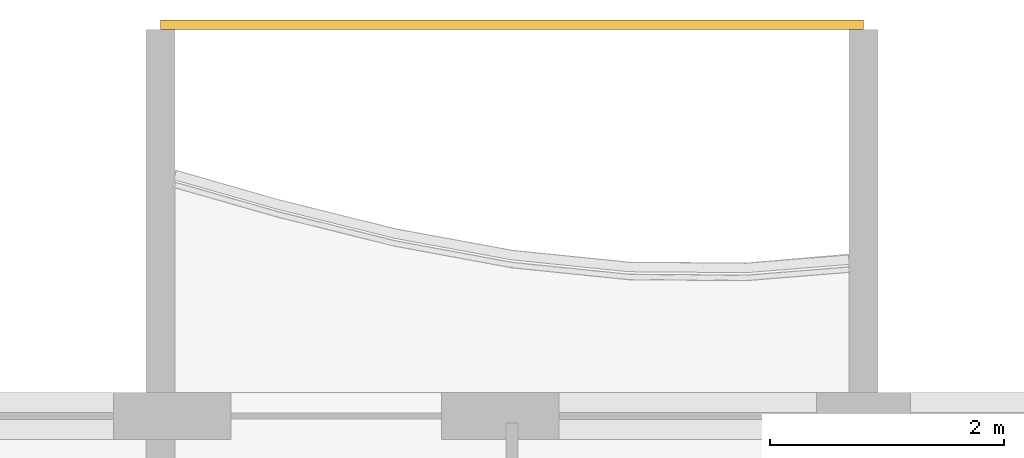
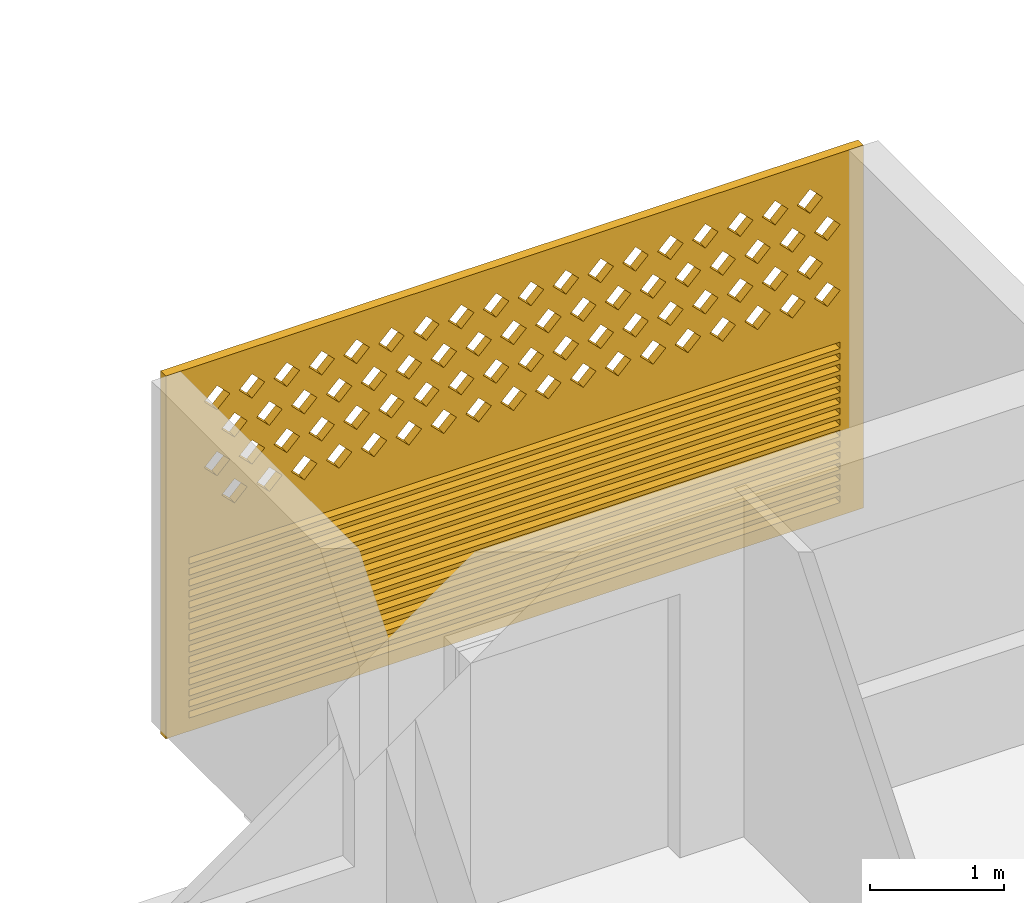
# One storey, part 20 of 28: 1 covering.
"""IFC4 building model written with IfcOpenShell, lengths in metres."""

from ifc_helpers import new_model, si_unit, direction, frame, origin, place, context, subcontext, project, spatial, polyline, outline, extrude, source, transform, mapped, material, material_profile, profile_set, type_object, element, save


model = new_model("IFC4")

# Units and contexts
model_context = context("Model", 3, precision=1e-05, world=origin(), true_north=direction((0.0, 1.0)))
body_context = subcontext(model_context, "Body", "Model", "MODEL_VIEW")
ifc_project = project(units=[si_unit("LENGTHUNIT", "METRE"), si_unit("AREAUNIT", "SQUARE_METRE"), si_unit("VOLUMEUNIT", "CUBIC_METRE"), si_unit("PLANEANGLEUNIT", "RADIAN"), si_unit("MASSUNIT", "GRAM", prefix="KILO")], contexts=[model_context])

# Site, building, storey
site_placement = place(None, origin())
site = spatial("IfcSite", under=ifc_project, at=site_placement, CompositionType="ELEMENT")
building_placement = place(site_placement, origin())
building = spatial("IfcBuilding", under=site, at=building_placement, Name="Poui Terraces", CompositionType="ELEMENT")
storey_placement = place(building_placement, frame((0.0, 0.0, 188.39990234375)))
storey = spatial("IfcBuildingStorey", under=building, at=storey_placement, Name="L52", CompositionType="ELEMENT", Elevation=188.39990234375)

# Covering
ifc_material = material(Name="Terracotta screen", Category="masonry")
ifc_material_profile = material_profile(ifc_material, outline(polyline([(-3.0, -1.64990234375), (3.0, -1.64990234375), (3.0, 1.64990234375), (-3.0, 1.64990234375), (-3.0, -1.64990234375)]), holes=[polyline([(-2.800048828125, 0.39990234375), (-2.68994140625, 0.2900390625), (-2.580078125, 0.39990234375), (-2.68994140625, 0.510009765625), (-2.800048828125, 0.39990234375)]), polyline([(-2.5, 0.39990234375), (-2.389892578125, 0.2900390625), (-2.280029296875, 0.39990234375), (-2.389892578125, 0.510009765625), (-2.5, 0.39990234375)]), polyline([(-2.199951171875, 0.39990234375), (-2.090087890625, 0.2900390625), (-1.97998046875, 0.39990234375), (-2.090087890625, 0.510009765625), (-2.199951171875, 0.39990234375)]), polyline([(-1.89990234375, 0.39990234375), (-1.7900390625, 0.2900390625), (-1.679931640625, 0.39990234375), (-1.7900390625, 0.510009765625), (-1.89990234375, 0.39990234375)]), polyline([(-1.60009765625, 0.39990234375), (-1.489990234375, 0.2900390625), (-1.3798828125, 0.39990234375), (-1.489990234375, 0.510009765625), (-1.60009765625, 0.39990234375)]), polyline([(-1.300048828125, 0.39990234375), (-1.18994140625, 0.2900390625), (-1.080078125, 0.39990234375), (-1.18994140625, 0.510009765625), (-1.300048828125, 0.39990234375)]), polyline([(-1.0, 0.39990234375), (-0.889892578125, 0.2900390625), (-0.780029296875, 0.39990234375), (-0.889892578125, 0.510009765625), (-1.0, 0.39990234375)]), polyline([(-0.699951171875, 0.39990234375), (-0.590087890625, 0.2900390625), (-0.47998046875, 0.39990234375), (-0.590087890625, 0.510009765625), (-0.699951171875, 0.39990234375)]), polyline([(-0.39990234375, 0.39990234375), (-0.2900390625, 0.2900390625), (-0.179931640625, 0.39990234375), (-0.2900390625, 0.510009765625), (-0.39990234375, 0.39990234375)]), polyline([(-0.10009765625, 0.39990234375), (0.010009765625, 0.2900390625), (0.1201171875, 0.39990234375), (0.010009765625, 0.510009765625), (-0.10009765625, 0.39990234375)]), polyline([(0.199951171875, 0.39990234375), (0.31005859375, 0.2900390625), (0.419921875, 0.39990234375), (0.31005859375, 0.510009765625), (0.199951171875, 0.39990234375)]), polyline([(0.5, 0.39990234375), (0.610107421875, 0.2900390625), (0.719970703125, 0.39990234375), (0.610107421875, 0.510009765625), (0.5, 0.39990234375)]), polyline([(0.800048828125, 0.39990234375), (0.909912109375, 0.2900390625), (1.02001953125, 0.39990234375), (0.909912109375, 0.510009765625), (0.800048828125, 0.39990234375)]), polyline([(1.10009765625, 0.39990234375), (1.2099609375, 0.2900390625), (1.320068359375, 0.39990234375), (1.2099609375, 0.510009765625), (1.10009765625, 0.39990234375)]), polyline([(1.39990234375, 0.39990234375), (1.510009765625, 0.2900390625), (1.6201171875, 0.39990234375), (1.510009765625, 0.510009765625), (1.39990234375, 0.39990234375)]), polyline([(1.699951171875, 0.39990234375), (1.81005859375, 0.2900390625), (1.919921875, 0.39990234375), (1.81005859375, 0.510009765625), (1.699951171875, 0.39990234375)]), polyline([(2.0, 0.39990234375), (2.110107421875, 0.2900390625), (2.219970703125, 0.39990234375), (2.110107421875, 0.510009765625), (2.0, 0.39990234375)]), polyline([(2.300048828125, 0.39990234375), (2.409912109375, 0.2900390625), (2.52001953125, 0.39990234375), (2.409912109375, 0.510009765625), (2.300048828125, 0.39990234375)]), polyline([(-2.64990234375, 0.699951171875), (-2.5400390625, 0.590087890625), (-2.429931640625, 0.699951171875), (-2.5400390625, 0.81005859375), (-2.64990234375, 0.699951171875)]), polyline([(-2.35009765625, 0.699951171875), (-2.239990234375, 0.590087890625), (-2.1298828125, 0.699951171875), (-2.239990234375, 0.81005859375), (-2.35009765625, 0.699951171875)]), polyline([(-2.050048828125, 0.699951171875), (-1.93994140625, 0.590087890625), (-1.830078125, 0.699951171875), (-1.93994140625, 0.81005859375), (-2.050048828125, 0.699951171875)]), polyline([(-1.75, 0.699951171875), (-1.639892578125, 0.590087890625), (-1.530029296875, 0.699951171875), (-1.639892578125, 0.81005859375), (-1.75, 0.699951171875)]), polyline([(-1.449951171875, 0.699951171875), (-1.340087890625, 0.590087890625), (-1.22998046875, 0.699951171875), (-1.340087890625, 0.81005859375), (-1.449951171875, 0.699951171875)]), polyline([(-1.14990234375, 0.699951171875), (-1.0400390625, 0.590087890625), (-0.929931640625, 0.699951171875), (-1.0400390625, 0.81005859375), (-1.14990234375, 0.699951171875)]), polyline([(-0.85009765625, 0.699951171875), (-0.739990234375, 0.590087890625), (-0.6298828125, 0.699951171875), (-0.739990234375, 0.81005859375), (-0.85009765625, 0.699951171875)]), polyline([(-0.550048828125, 0.699951171875), (-0.43994140625, 0.590087890625), (-0.330078125, 0.699951171875), (-0.43994140625, 0.81005859375), (-0.550048828125, 0.699951171875)]), polyline([(-0.25, 0.699951171875), (-0.139892578125, 0.590087890625), (-0.030029296875, 0.699951171875), (-0.139892578125, 0.81005859375), (-0.25, 0.699951171875)]), polyline([(0.050048828125, 0.699951171875), (0.159912109375, 0.590087890625), (0.27001953125, 0.699951171875), (0.159912109375, 0.81005859375), (0.050048828125, 0.699951171875)]), polyline([(0.35009765625, 0.699951171875), (0.4599609375, 0.590087890625), (0.570068359375, 0.699951171875), (0.4599609375, 0.81005859375), (0.35009765625, 0.699951171875)]), polyline([(0.64990234375, 0.699951171875), (0.760009765625, 0.590087890625), (0.8701171875, 0.699951171875), (0.760009765625, 0.81005859375), (0.64990234375, 0.699951171875)]), polyline([(0.949951171875, 0.699951171875), (1.06005859375, 0.590087890625), (1.169921875, 0.699951171875), (1.06005859375, 0.81005859375), (0.949951171875, 0.699951171875)]), polyline([(1.25, 0.699951171875), (1.360107421875, 0.590087890625), (1.469970703125, 0.699951171875), (1.360107421875, 0.81005859375), (1.25, 0.699951171875)]), polyline([(1.550048828125, 0.699951171875), (1.659912109375, 0.590087890625), (1.77001953125, 0.699951171875), (1.659912109375, 0.81005859375), (1.550048828125, 0.699951171875)]), polyline([(1.85009765625, 0.699951171875), (1.9599609375, 0.590087890625), (2.070068359375, 0.699951171875), (1.9599609375, 0.81005859375), (1.85009765625, 0.699951171875)]), polyline([(2.14990234375, 0.699951171875), (2.260009765625, 0.590087890625), (2.3701171875, 0.699951171875), (2.260009765625, 0.81005859375), (2.14990234375, 0.699951171875)]), polyline([(2.449951171875, 0.699951171875), (2.56005859375, 0.590087890625), (2.669921875, 0.699951171875), (2.56005859375, 0.81005859375), (2.449951171875, 0.699951171875)]), polyline([(-2.800048828125, 1.0), (-2.68994140625, 0.889892578125), (-2.580078125, 1.0), (-2.68994140625, 1.110107421875), (-2.800048828125, 1.0)]), polyline([(-2.5, 1.0), (-2.389892578125, 0.889892578125), (-2.280029296875, 1.0), (-2.389892578125, 1.110107421875), (-2.5, 1.0)]), polyline([(-2.199951171875, 1.0), (-2.090087890625, 0.889892578125), (-1.97998046875, 1.0), (-2.090087890625, 1.110107421875), (-2.199951171875, 1.0)]), polyline([(-1.89990234375, 1.0), (-1.7900390625, 0.889892578125), (-1.679931640625, 1.0), (-1.7900390625, 1.110107421875), (-1.89990234375, 1.0)]), polyline([(-1.60009765625, 1.0), (-1.489990234375, 0.889892578125), (-1.3798828125, 1.0), (-1.489990234375, 1.110107421875), (-1.60009765625, 1.0)]), polyline([(-1.300048828125, 1.0), (-1.18994140625, 0.889892578125), (-1.080078125, 1.0), (-1.18994140625, 1.110107421875), (-1.300048828125, 1.0)]), polyline([(-1.0, 1.0), (-0.889892578125, 0.889892578125), (-0.780029296875, 1.0), (-0.889892578125, 1.110107421875), (-1.0, 1.0)]), polyline([(-0.699951171875, 1.0), (-0.590087890625, 0.889892578125), (-0.47998046875, 1.0), (-0.590087890625, 1.110107421875), (-0.699951171875, 1.0)]), polyline([(-0.39990234375, 1.0), (-0.2900390625, 0.889892578125), (-0.179931640625, 1.0), (-0.2900390625, 1.110107421875), (-0.39990234375, 1.0)]), polyline([(-0.10009765625, 1.0), (0.010009765625, 0.889892578125), (0.1201171875, 1.0), (0.010009765625, 1.110107421875), (-0.10009765625, 1.0)]), polyline([(0.199951171875, 1.0), (0.31005859375, 0.889892578125), (0.419921875, 1.0), (0.31005859375, 1.110107421875), (0.199951171875, 1.0)]), polyline([(0.5, 1.0), (0.610107421875, 0.889892578125), (0.719970703125, 1.0), (0.610107421875, 1.110107421875), (0.5, 1.0)]), polyline([(0.800048828125, 1.0), (0.909912109375, 0.889892578125), (1.02001953125, 1.0), (0.909912109375, 1.110107421875), (0.800048828125, 1.0)]), polyline([(1.10009765625, 1.0), (1.2099609375, 0.889892578125), (1.320068359375, 1.0), (1.2099609375, 1.110107421875), (1.10009765625, 1.0)]), polyline([(1.39990234375, 1.0), (1.510009765625, 0.889892578125), (1.6201171875, 1.0), (1.510009765625, 1.110107421875), (1.39990234375, 1.0)]), polyline([(1.699951171875, 1.0), (1.81005859375, 0.889892578125), (1.919921875, 1.0), (1.81005859375, 1.110107421875), (1.699951171875, 1.0)]), polyline([(2.0, 1.0), (2.110107421875, 0.889892578125), (2.219970703125, 1.0), (2.110107421875, 1.110107421875), (2.0, 1.0)]), polyline([(2.300048828125, 1.0), (2.409912109375, 0.889892578125), (2.52001953125, 1.0), (2.409912109375, 1.110107421875), (2.300048828125, 1.0)]), polyline([(-2.64990234375, 1.300048828125), (-2.5400390625, 1.18994140625), (-2.429931640625, 1.300048828125), (-2.5400390625, 1.409912109375), (-2.64990234375, 1.300048828125)]), polyline([(-2.35009765625, 1.300048828125), (-2.239990234375, 1.18994140625), (-2.1298828125, 1.300048828125), (-2.239990234375, 1.409912109375), (-2.35009765625, 1.300048828125)]), polyline([(-2.050048828125, 1.300048828125), (-1.93994140625, 1.18994140625), (-1.830078125, 1.300048828125), (-1.93994140625, 1.409912109375), (-2.050048828125, 1.300048828125)]), polyline([(-1.75, 1.300048828125), (-1.639892578125, 1.18994140625), (-1.530029296875, 1.300048828125), (-1.639892578125, 1.409912109375), (-1.75, 1.300048828125)]), polyline([(-1.449951171875, 1.300048828125), (-1.340087890625, 1.18994140625), (-1.22998046875, 1.300048828125), (-1.340087890625, 1.409912109375), (-1.449951171875, 1.300048828125)]), polyline([(-1.14990234375, 1.300048828125), (-1.0400390625, 1.18994140625), (-0.929931640625, 1.300048828125), (-1.0400390625, 1.409912109375), (-1.14990234375, 1.300048828125)]), polyline([(-0.85009765625, 1.300048828125), (-0.739990234375, 1.18994140625), (-0.6298828125, 1.300048828125), (-0.739990234375, 1.409912109375), (-0.85009765625, 1.300048828125)]), polyline([(-0.550048828125, 1.300048828125), (-0.43994140625, 1.18994140625), (-0.330078125, 1.300048828125), (-0.43994140625, 1.409912109375), (-0.550048828125, 1.300048828125)]), polyline([(-0.25, 1.300048828125), (-0.139892578125, 1.18994140625), (-0.030029296875, 1.300048828125), (-0.139892578125, 1.409912109375), (-0.25, 1.300048828125)]), polyline([(0.050048828125, 1.300048828125), (0.159912109375, 1.18994140625), (0.27001953125, 1.300048828125), (0.159912109375, 1.409912109375), (0.050048828125, 1.300048828125)]), polyline([(0.35009765625, 1.300048828125), (0.4599609375, 1.18994140625), (0.570068359375, 1.300048828125), (0.4599609375, 1.409912109375), (0.35009765625, 1.300048828125)]), polyline([(0.64990234375, 1.300048828125), (0.760009765625, 1.18994140625), (0.8701171875, 1.300048828125), (0.760009765625, 1.409912109375), (0.64990234375, 1.300048828125)]), polyline([(0.949951171875, 1.300048828125), (1.06005859375, 1.18994140625), (1.169921875, 1.300048828125), (1.06005859375, 1.409912109375), (0.949951171875, 1.300048828125)]), polyline([(1.25, 1.300048828125), (1.360107421875, 1.18994140625), (1.469970703125, 1.300048828125), (1.360107421875, 1.409912109375), (1.25, 1.300048828125)]), polyline([(1.550048828125, 1.300048828125), (1.659912109375, 1.18994140625), (1.77001953125, 1.300048828125), (1.659912109375, 1.409912109375), (1.550048828125, 1.300048828125)]), polyline([(1.85009765625, 1.300048828125), (1.9599609375, 1.18994140625), (2.070068359375, 1.300048828125), (1.9599609375, 1.409912109375), (1.85009765625, 1.300048828125)]), polyline([(2.14990234375, 1.300048828125), (2.260009765625, 1.18994140625), (2.3701171875, 1.300048828125), (2.260009765625, 1.409912109375), (2.14990234375, 1.300048828125)]), polyline([(2.449951171875, 1.300048828125), (2.56005859375, 1.18994140625), (2.669921875, 1.300048828125), (2.56005859375, 1.409912109375), (2.449951171875, 1.300048828125)]), polyline([(-2.800048828125, -1.530029296875), (2.800048828125, -1.530029296875), (2.800048828125, -1.469970703125), (-2.800048828125, -1.469970703125), (-2.800048828125, -1.530029296875)]), polyline([(-2.800048828125, -1.429931640625), (2.800048828125, -1.429931640625), (2.800048828125, -1.3701171875), (-2.800048828125, -1.3701171875), (-2.800048828125, -1.429931640625)]), polyline([(-2.800048828125, -1.330078125), (2.800048828125, -1.330078125), (2.800048828125, -1.27001953125), (-2.800048828125, -1.27001953125), (-2.800048828125, -1.330078125)]), polyline([(-2.800048828125, -1.22998046875), (2.800048828125, -1.22998046875), (2.800048828125, -1.169921875), (-2.800048828125, -1.169921875), (-2.800048828125, -1.22998046875)]), polyline([(-2.800048828125, -1.1298828125), (2.800048828125, -1.1298828125), (2.800048828125, -1.070068359375), (-2.800048828125, -1.070068359375), (-2.800048828125, -1.1298828125)]), polyline([(-2.800048828125, -1.030029296875), (2.800048828125, -1.030029296875), (2.800048828125, -0.969970703125), (-2.800048828125, -0.969970703125), (-2.800048828125, -1.030029296875)]), polyline([(-2.800048828125, -0.929931640625), (2.800048828125, -0.929931640625), (2.800048828125, -0.8701171875), (-2.800048828125, -0.8701171875), (-2.800048828125, -0.929931640625)]), polyline([(-2.800048828125, -0.830078125), (2.800048828125, -0.830078125), (2.800048828125, -0.77001953125), (-2.800048828125, -0.77001953125), (-2.800048828125, -0.830078125)]), polyline([(-2.800048828125, -0.72998046875), (2.800048828125, -0.72998046875), (2.800048828125, -0.669921875), (-2.800048828125, -0.669921875), (-2.800048828125, -0.72998046875)]), polyline([(-2.800048828125, -0.6298828125), (2.800048828125, -0.6298828125), (2.800048828125, -0.570068359375), (-2.800048828125, -0.570068359375), (-2.800048828125, -0.6298828125)]), polyline([(-2.800048828125, -0.530029296875), (2.800048828125, -0.530029296875), (2.800048828125, -0.469970703125), (-2.800048828125, -0.469970703125), (-2.800048828125, -0.530029296875)]), polyline([(-2.800048828125, -0.429931640625), (2.800048828125, -0.429931640625), (2.800048828125, -0.3701171875), (-2.800048828125, -0.3701171875), (-2.800048828125, -0.429931640625)]), polyline([(-2.800048828125, -0.330078125), (2.800048828125, -0.330078125), (2.800048828125, -0.27001953125), (-2.800048828125, -0.27001953125), (-2.800048828125, -0.330078125)]), polyline([(-2.800048828125, -0.22998046875), (2.800048828125, -0.22998046875), (2.800048828125, -0.169921875), (-2.800048828125, -0.169921875), (-2.800048828125, -0.22998046875)]), polyline([(-2.800048828125, -0.1298828125), (2.800048828125, -0.1298828125), (2.800048828125, -0.070068359375), (-2.800048828125, -0.070068359375), (-2.800048828125, -0.1298828125)])]), Name="TERRACOTTA SCREEN AND JALOUSIE LOUVRE 6000X3300")
ifc_profile_set = profile_set([ifc_material_profile], Name="Terracotta screen")
covering_type = type_object("IfcCoveringType", Name="TERRACOTTA SCREEN AND JALOUSIE LOUVRE 6000X3300", PredefinedType="CLADDING", material=ifc_profile_set)
shared_shape = source(origin(), body_context, "Body", "SweptSolid", [
    extrude(outline(polyline([(-3.0, -1.64990234375), (3.0, -1.64990234375), (3.0, 1.64990234375), (-3.0, 1.64990234375), (-3.0, -1.64990234375)]), holes=[polyline([(-2.800048828125, 0.39990234375), (-2.68994140625, 0.2900390625), (-2.580078125, 0.39990234375), (-2.68994140625, 0.510009765625), (-2.800048828125, 0.39990234375)]), polyline([(-2.5, 0.39990234375), (-2.389892578125, 0.2900390625), (-2.280029296875, 0.39990234375), (-2.389892578125, 0.510009765625), (-2.5, 0.39990234375)]), polyline([(-2.199951171875, 0.39990234375), (-2.090087890625, 0.2900390625), (-1.97998046875, 0.39990234375), (-2.090087890625, 0.510009765625), (-2.199951171875, 0.39990234375)]), polyline([(-1.89990234375, 0.39990234375), (-1.7900390625, 0.2900390625), (-1.679931640625, 0.39990234375), (-1.7900390625, 0.510009765625), (-1.89990234375, 0.39990234375)]), polyline([(-1.60009765625, 0.39990234375), (-1.489990234375, 0.2900390625), (-1.3798828125, 0.39990234375), (-1.489990234375, 0.510009765625), (-1.60009765625, 0.39990234375)]), polyline([(-1.300048828125, 0.39990234375), (-1.18994140625, 0.2900390625), (-1.080078125, 0.39990234375), (-1.18994140625, 0.510009765625), (-1.300048828125, 0.39990234375)]), polyline([(-1.0, 0.39990234375), (-0.889892578125, 0.2900390625), (-0.780029296875, 0.39990234375), (-0.889892578125, 0.510009765625), (-1.0, 0.39990234375)]), polyline([(-0.699951171875, 0.39990234375), (-0.590087890625, 0.2900390625), (-0.47998046875, 0.39990234375), (-0.590087890625, 0.510009765625), (-0.699951171875, 0.39990234375)]), polyline([(-0.39990234375, 0.39990234375), (-0.2900390625, 0.2900390625), (-0.179931640625, 0.39990234375), (-0.2900390625, 0.510009765625), (-0.39990234375, 0.39990234375)]), polyline([(-0.10009765625, 0.39990234375), (0.010009765625, 0.2900390625), (0.1201171875, 0.39990234375), (0.010009765625, 0.510009765625), (-0.10009765625, 0.39990234375)]), polyline([(0.199951171875, 0.39990234375), (0.31005859375, 0.2900390625), (0.419921875, 0.39990234375), (0.31005859375, 0.510009765625), (0.199951171875, 0.39990234375)]), polyline([(0.5, 0.39990234375), (0.610107421875, 0.2900390625), (0.719970703125, 0.39990234375), (0.610107421875, 0.510009765625), (0.5, 0.39990234375)]), polyline([(0.800048828125, 0.39990234375), (0.909912109375, 0.2900390625), (1.02001953125, 0.39990234375), (0.909912109375, 0.510009765625), (0.800048828125, 0.39990234375)]), polyline([(1.10009765625, 0.39990234375), (1.2099609375, 0.2900390625), (1.320068359375, 0.39990234375), (1.2099609375, 0.510009765625), (1.10009765625, 0.39990234375)]), polyline([(1.39990234375, 0.39990234375), (1.510009765625, 0.2900390625), (1.6201171875, 0.39990234375), (1.510009765625, 0.510009765625), (1.39990234375, 0.39990234375)]), polyline([(1.699951171875, 0.39990234375), (1.81005859375, 0.2900390625), (1.919921875, 0.39990234375), (1.81005859375, 0.510009765625), (1.699951171875, 0.39990234375)]), polyline([(2.0, 0.39990234375), (2.110107421875, 0.2900390625), (2.219970703125, 0.39990234375), (2.110107421875, 0.510009765625), (2.0, 0.39990234375)]), polyline([(2.300048828125, 0.39990234375), (2.409912109375, 0.2900390625), (2.52001953125, 0.39990234375), (2.409912109375, 0.510009765625), (2.300048828125, 0.39990234375)]), polyline([(-2.64990234375, 0.699951171875), (-2.5400390625, 0.590087890625), (-2.429931640625, 0.699951171875), (-2.5400390625, 0.81005859375), (-2.64990234375, 0.699951171875)]), polyline([(-2.35009765625, 0.699951171875), (-2.239990234375, 0.590087890625), (-2.1298828125, 0.699951171875), (-2.239990234375, 0.81005859375), (-2.35009765625, 0.699951171875)]), polyline([(-2.050048828125, 0.699951171875), (-1.93994140625, 0.590087890625), (-1.830078125, 0.699951171875), (-1.93994140625, 0.81005859375), (-2.050048828125, 0.699951171875)]), polyline([(-1.75, 0.699951171875), (-1.639892578125, 0.590087890625), (-1.530029296875, 0.699951171875), (-1.639892578125, 0.81005859375), (-1.75, 0.699951171875)]), polyline([(-1.449951171875, 0.699951171875), (-1.340087890625, 0.590087890625), (-1.22998046875, 0.699951171875), (-1.340087890625, 0.81005859375), (-1.449951171875, 0.699951171875)]), polyline([(-1.14990234375, 0.699951171875), (-1.0400390625, 0.590087890625), (-0.929931640625, 0.699951171875), (-1.0400390625, 0.81005859375), (-1.14990234375, 0.699951171875)]), polyline([(-0.85009765625, 0.699951171875), (-0.739990234375, 0.590087890625), (-0.6298828125, 0.699951171875), (-0.739990234375, 0.81005859375), (-0.85009765625, 0.699951171875)]), polyline([(-0.550048828125, 0.699951171875), (-0.43994140625, 0.590087890625), (-0.330078125, 0.699951171875), (-0.43994140625, 0.81005859375), (-0.550048828125, 0.699951171875)]), polyline([(-0.25, 0.699951171875), (-0.139892578125, 0.590087890625), (-0.030029296875, 0.699951171875), (-0.139892578125, 0.81005859375), (-0.25, 0.699951171875)]), polyline([(0.050048828125, 0.699951171875), (0.159912109375, 0.590087890625), (0.27001953125, 0.699951171875), (0.159912109375, 0.81005859375), (0.050048828125, 0.699951171875)]), polyline([(0.35009765625, 0.699951171875), (0.4599609375, 0.590087890625), (0.570068359375, 0.699951171875), (0.4599609375, 0.81005859375), (0.35009765625, 0.699951171875)]), polyline([(0.64990234375, 0.699951171875), (0.760009765625, 0.590087890625), (0.8701171875, 0.699951171875), (0.760009765625, 0.81005859375), (0.64990234375, 0.699951171875)]), polyline([(0.949951171875, 0.699951171875), (1.06005859375, 0.590087890625), (1.169921875, 0.699951171875), (1.06005859375, 0.81005859375), (0.949951171875, 0.699951171875)]), polyline([(1.25, 0.699951171875), (1.360107421875, 0.590087890625), (1.469970703125, 0.699951171875), (1.360107421875, 0.81005859375), (1.25, 0.699951171875)]), polyline([(1.550048828125, 0.699951171875), (1.659912109375, 0.590087890625), (1.77001953125, 0.699951171875), (1.659912109375, 0.81005859375), (1.550048828125, 0.699951171875)]), polyline([(1.85009765625, 0.699951171875), (1.9599609375, 0.590087890625), (2.070068359375, 0.699951171875), (1.9599609375, 0.81005859375), (1.85009765625, 0.699951171875)]), polyline([(2.14990234375, 0.699951171875), (2.260009765625, 0.590087890625), (2.3701171875, 0.699951171875), (2.260009765625, 0.81005859375), (2.14990234375, 0.699951171875)]), polyline([(2.449951171875, 0.699951171875), (2.56005859375, 0.590087890625), (2.669921875, 0.699951171875), (2.56005859375, 0.81005859375), (2.449951171875, 0.699951171875)]), polyline([(-2.800048828125, 1.0), (-2.68994140625, 0.889892578125), (-2.580078125, 1.0), (-2.68994140625, 1.110107421875), (-2.800048828125, 1.0)]), polyline([(-2.5, 1.0), (-2.389892578125, 0.889892578125), (-2.280029296875, 1.0), (-2.389892578125, 1.110107421875), (-2.5, 1.0)]), polyline([(-2.199951171875, 1.0), (-2.090087890625, 0.889892578125), (-1.97998046875, 1.0), (-2.090087890625, 1.110107421875), (-2.199951171875, 1.0)]), polyline([(-1.89990234375, 1.0), (-1.7900390625, 0.889892578125), (-1.679931640625, 1.0), (-1.7900390625, 1.110107421875), (-1.89990234375, 1.0)]), polyline([(-1.60009765625, 1.0), (-1.489990234375, 0.889892578125), (-1.3798828125, 1.0), (-1.489990234375, 1.110107421875), (-1.60009765625, 1.0)]), polyline([(-1.300048828125, 1.0), (-1.18994140625, 0.889892578125), (-1.080078125, 1.0), (-1.18994140625, 1.110107421875), (-1.300048828125, 1.0)]), polyline([(-1.0, 1.0), (-0.889892578125, 0.889892578125), (-0.780029296875, 1.0), (-0.889892578125, 1.110107421875), (-1.0, 1.0)]), polyline([(-0.699951171875, 1.0), (-0.590087890625, 0.889892578125), (-0.47998046875, 1.0), (-0.590087890625, 1.110107421875), (-0.699951171875, 1.0)]), polyline([(-0.39990234375, 1.0), (-0.2900390625, 0.889892578125), (-0.179931640625, 1.0), (-0.2900390625, 1.110107421875), (-0.39990234375, 1.0)]), polyline([(-0.10009765625, 1.0), (0.010009765625, 0.889892578125), (0.1201171875, 1.0), (0.010009765625, 1.110107421875), (-0.10009765625, 1.0)]), polyline([(0.199951171875, 1.0), (0.31005859375, 0.889892578125), (0.419921875, 1.0), (0.31005859375, 1.110107421875), (0.199951171875, 1.0)]), polyline([(0.5, 1.0), (0.610107421875, 0.889892578125), (0.719970703125, 1.0), (0.610107421875, 1.110107421875), (0.5, 1.0)]), polyline([(0.800048828125, 1.0), (0.909912109375, 0.889892578125), (1.02001953125, 1.0), (0.909912109375, 1.110107421875), (0.800048828125, 1.0)]), polyline([(1.10009765625, 1.0), (1.2099609375, 0.889892578125), (1.320068359375, 1.0), (1.2099609375, 1.110107421875), (1.10009765625, 1.0)]), polyline([(1.39990234375, 1.0), (1.510009765625, 0.889892578125), (1.6201171875, 1.0), (1.510009765625, 1.110107421875), (1.39990234375, 1.0)]), polyline([(1.699951171875, 1.0), (1.81005859375, 0.889892578125), (1.919921875, 1.0), (1.81005859375, 1.110107421875), (1.699951171875, 1.0)]), polyline([(2.0, 1.0), (2.110107421875, 0.889892578125), (2.219970703125, 1.0), (2.110107421875, 1.110107421875), (2.0, 1.0)]), polyline([(2.300048828125, 1.0), (2.409912109375, 0.889892578125), (2.52001953125, 1.0), (2.409912109375, 1.110107421875), (2.300048828125, 1.0)]), polyline([(-2.64990234375, 1.300048828125), (-2.5400390625, 1.18994140625), (-2.429931640625, 1.300048828125), (-2.5400390625, 1.409912109375), (-2.64990234375, 1.300048828125)]), polyline([(-2.35009765625, 1.300048828125), (-2.239990234375, 1.18994140625), (-2.1298828125, 1.300048828125), (-2.239990234375, 1.409912109375), (-2.35009765625, 1.300048828125)]), polyline([(-2.050048828125, 1.300048828125), (-1.93994140625, 1.18994140625), (-1.830078125, 1.300048828125), (-1.93994140625, 1.409912109375), (-2.050048828125, 1.300048828125)]), polyline([(-1.75, 1.300048828125), (-1.639892578125, 1.18994140625), (-1.530029296875, 1.300048828125), (-1.639892578125, 1.409912109375), (-1.75, 1.300048828125)]), polyline([(-1.449951171875, 1.300048828125), (-1.340087890625, 1.18994140625), (-1.22998046875, 1.300048828125), (-1.340087890625, 1.409912109375), (-1.449951171875, 1.300048828125)]), polyline([(-1.14990234375, 1.300048828125), (-1.0400390625, 1.18994140625), (-0.929931640625, 1.300048828125), (-1.0400390625, 1.409912109375), (-1.14990234375, 1.300048828125)]), polyline([(-0.85009765625, 1.300048828125), (-0.739990234375, 1.18994140625), (-0.6298828125, 1.300048828125), (-0.739990234375, 1.409912109375), (-0.85009765625, 1.300048828125)]), polyline([(-0.550048828125, 1.300048828125), (-0.43994140625, 1.18994140625), (-0.330078125, 1.300048828125), (-0.43994140625, 1.409912109375), (-0.550048828125, 1.300048828125)]), polyline([(-0.25, 1.300048828125), (-0.139892578125, 1.18994140625), (-0.030029296875, 1.300048828125), (-0.139892578125, 1.409912109375), (-0.25, 1.300048828125)]), polyline([(0.050048828125, 1.300048828125), (0.159912109375, 1.18994140625), (0.27001953125, 1.300048828125), (0.159912109375, 1.409912109375), (0.050048828125, 1.300048828125)]), polyline([(0.35009765625, 1.300048828125), (0.4599609375, 1.18994140625), (0.570068359375, 1.300048828125), (0.4599609375, 1.409912109375), (0.35009765625, 1.300048828125)]), polyline([(0.64990234375, 1.300048828125), (0.760009765625, 1.18994140625), (0.8701171875, 1.300048828125), (0.760009765625, 1.409912109375), (0.64990234375, 1.300048828125)]), polyline([(0.949951171875, 1.300048828125), (1.06005859375, 1.18994140625), (1.169921875, 1.300048828125), (1.06005859375, 1.409912109375), (0.949951171875, 1.300048828125)]), polyline([(1.25, 1.300048828125), (1.360107421875, 1.18994140625), (1.469970703125, 1.300048828125), (1.360107421875, 1.409912109375), (1.25, 1.300048828125)]), polyline([(1.550048828125, 1.300048828125), (1.659912109375, 1.18994140625), (1.77001953125, 1.300048828125), (1.659912109375, 1.409912109375), (1.550048828125, 1.300048828125)]), polyline([(1.85009765625, 1.300048828125), (1.9599609375, 1.18994140625), (2.070068359375, 1.300048828125), (1.9599609375, 1.409912109375), (1.85009765625, 1.300048828125)]), polyline([(2.14990234375, 1.300048828125), (2.260009765625, 1.18994140625), (2.3701171875, 1.300048828125), (2.260009765625, 1.409912109375), (2.14990234375, 1.300048828125)]), polyline([(2.449951171875, 1.300048828125), (2.56005859375, 1.18994140625), (2.669921875, 1.300048828125), (2.56005859375, 1.409912109375), (2.449951171875, 1.300048828125)]), polyline([(-2.800048828125, -1.530029296875), (2.800048828125, -1.530029296875), (2.800048828125, -1.469970703125), (-2.800048828125, -1.469970703125), (-2.800048828125, -1.530029296875)]), polyline([(-2.800048828125, -1.429931640625), (2.800048828125, -1.429931640625), (2.800048828125, -1.3701171875), (-2.800048828125, -1.3701171875), (-2.800048828125, -1.429931640625)]), polyline([(-2.800048828125, -1.330078125), (2.800048828125, -1.330078125), (2.800048828125, -1.27001953125), (-2.800048828125, -1.27001953125), (-2.800048828125, -1.330078125)]), polyline([(-2.800048828125, -1.22998046875), (2.800048828125, -1.22998046875), (2.800048828125, -1.169921875), (-2.800048828125, -1.169921875), (-2.800048828125, -1.22998046875)]), polyline([(-2.800048828125, -1.1298828125), (2.800048828125, -1.1298828125), (2.800048828125, -1.070068359375), (-2.800048828125, -1.070068359375), (-2.800048828125, -1.1298828125)]), polyline([(-2.800048828125, -1.030029296875), (2.800048828125, -1.030029296875), (2.800048828125, -0.969970703125), (-2.800048828125, -0.969970703125), (-2.800048828125, -1.030029296875)]), polyline([(-2.800048828125, -0.929931640625), (2.800048828125, -0.929931640625), (2.800048828125, -0.8701171875), (-2.800048828125, -0.8701171875), (-2.800048828125, -0.929931640625)]), polyline([(-2.800048828125, -0.830078125), (2.800048828125, -0.830078125), (2.800048828125, -0.77001953125), (-2.800048828125, -0.77001953125), (-2.800048828125, -0.830078125)]), polyline([(-2.800048828125, -0.72998046875), (2.800048828125, -0.72998046875), (2.800048828125, -0.669921875), (-2.800048828125, -0.669921875), (-2.800048828125, -0.72998046875)]), polyline([(-2.800048828125, -0.6298828125), (2.800048828125, -0.6298828125), (2.800048828125, -0.570068359375), (-2.800048828125, -0.570068359375), (-2.800048828125, -0.6298828125)]), polyline([(-2.800048828125, -0.530029296875), (2.800048828125, -0.530029296875), (2.800048828125, -0.469970703125), (-2.800048828125, -0.469970703125), (-2.800048828125, -0.530029296875)]), polyline([(-2.800048828125, -0.429931640625), (2.800048828125, -0.429931640625), (2.800048828125, -0.3701171875), (-2.800048828125, -0.3701171875), (-2.800048828125, -0.429931640625)]), polyline([(-2.800048828125, -0.330078125), (2.800048828125, -0.330078125), (2.800048828125, -0.27001953125), (-2.800048828125, -0.27001953125), (-2.800048828125, -0.330078125)]), polyline([(-2.800048828125, -0.22998046875), (2.800048828125, -0.22998046875), (2.800048828125, -0.169921875), (-2.800048828125, -0.169921875), (-2.800048828125, -0.22998046875)]), polyline([(-2.800048828125, -0.1298828125), (2.800048828125, -0.1298828125), (2.800048828125, -0.070068359375), (-2.800048828125, -0.070068359375), (-2.800048828125, -0.1298828125)])]), origin(), (0.0, 0.0, 1.0), 0.080078125),
])
covering_placement = place(storey_placement, frame((45.0, 44.5, 1.4501953125), z_axis=(0.0, 1.0, 0.0), x_axis=(-1.0, 0.0, 0.0)))
element("IfcCovering", 1, at=covering_placement, inside=storey, type_object=covering_type, Name="SOLAR SCREEN AND JALOUSIE LOUVRE", PredefinedType="CLADDING", context=body_context, shape_type="MappedRepresentation", body=[
    mapped(shared_shape, transform((0.0, 0.0, 0.0))),
])

save(model, "model.ifc")
